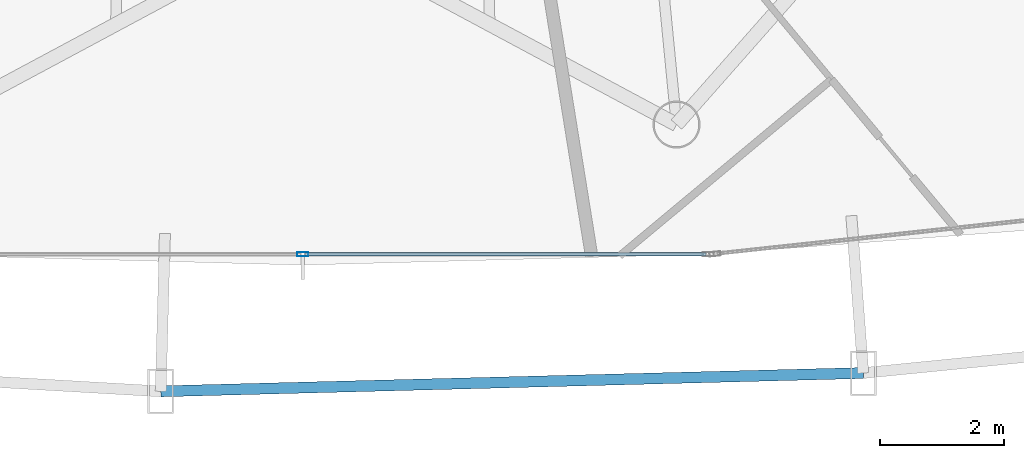
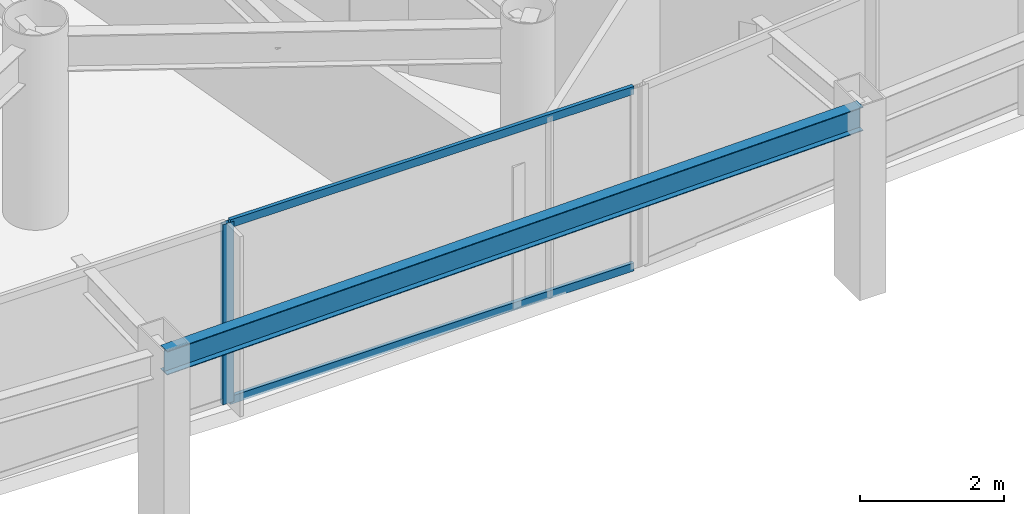
# One storey, part 7 of 38: 3 members, 1 beam, 1 element without a shape of its own.
"""IFC4 building model written with IfcOpenShell, lengths in metres."""

from ifc_helpers import new_model, si_unit, direction, frame, origin, origin_2d, place, context, subcontext, project, spatial, hollow_rectangle, i_section, extrude, material, layer, layer_set, material_profile, profile_set, type_object, element, aggregate, save


model = new_model("IFC4")

# Units and contexts
model_context = context("Model", 3, precision=1e-05, world=origin(), true_north=direction((0.0, 1.0)))
body_context = subcontext(model_context, "Body", "Model", "MODEL_VIEW")
ifc_project = project(units=[si_unit("LENGTHUNIT", "METRE"), si_unit("AREAUNIT", "SQUARE_METRE"), si_unit("VOLUMEUNIT", "CUBIC_METRE"), si_unit("PLANEANGLEUNIT", "RADIAN"), si_unit("MASSUNIT", "GRAM", prefix="KILO")], contexts=[model_context])

# Site, building, storey
site_placement = place(None, origin())
site = spatial("IfcSite", under=ifc_project, at=site_placement, CompositionType="ELEMENT")
building_placement = place(site_placement, origin())
building = spatial("IfcBuilding", under=site, at=building_placement, Name="Orvanel Arch Residences", CompositionType="ELEMENT")
storey_placement = place(building_placement, frame((0.0, 0.0, 43.39990234375)))
storey = spatial("IfcBuildingStorey", under=building, at=storey_placement, Name="L11", CompositionType="ELEMENT", Elevation=43.39990234375)

# Curtain wall, member
ifc_material_1 = material(Name="Bronze-anodised aluminium AA6063-T6", Category="aluminium")
ifc_layer = layer(ifc_material_1, 0.179931640625)
ifc_layer_set = layer_set([ifc_layer], Name="Bronze-anodised aluminium AA6063-T6")
curtain_wall_type = type_object("IfcCurtainWallType", Name="CW2-LOW-SYS", PredefinedType="NOTDEFINED", material=ifc_layer_set)
curtain_wall_placement = place(storey_placement, origin())
curtain_wall = element("IfcCurtainWall", 1, at=curtain_wall_placement, inside=storey, type_object=curtain_wall_type, Name="L11 CW2-LOW-SYS Unitised Curtain Wall", PredefinedType="NOTDEFINED")
ifc_material_profile_1 = material_profile(ifc_material_1, hollow_rectangle(XDim=0.070068359375, YDim=0.179931640625, WallThickness=0.00439453125, at=origin_2d()), Name="ALU180x70x4.5")
ifc_profile_set_1 = profile_set([ifc_material_profile_1], Name="Bronze-anodised aluminium AA6063-T6")
member_type_1 = type_object("IfcMemberType", Name="MUL-180x70", PredefinedType="MULLION", material=ifc_profile_set_1)
member_1_placement = place(storey_placement, frame((33.0, 1.508056640625, 0.0), z_axis=(0.0, 0.0, 1.0), x_axis=(0.0, 1.0, 0.0)))
member_1 = element("IfcMember", 2, at=member_1_placement, type_object=member_type_1, Name="CW-S2 mullion 2", PredefinedType="MULLION", context=body_context, shape_type="SweptSolid", body=[
    extrude(hollow_rectangle(XDim=0.070068359375, YDim=0.179931640625, WallThickness=0.00439453125, at=origin_2d()), origin(), (0.0, 0.0, 1.0), 3.06005859375),
])

# Beam
ifc_material_2 = material(Name="Structural steel AS/NZS 3679.1 Grade 300 (300 MPa)", Category="steel")
ifc_material_profile_2 = material_profile(ifc_material_2, i_section(OverallWidth=0.177978515625, OverallDepth=0.406005859375, WebThickness=0.0078125, FlangeThickness=0.0126953125, at=origin_2d()), Name="410UB59.7")
ifc_profile_set_2 = profile_set([ifc_material_profile_2], Name="Structural steel AS/NZS 3679.1 Grade 300 (300 MPa)")
beam_type = type_object("IfcBeamType", Name="OB-410UB-EXT", PredefinedType="SPANDREL", material=ifc_profile_set_2)
beam_placement = place(storey_placement, frame((30.7041015625, -0.7080078125, 2.857177734375), z_axis=(0.999660756032, 0.026045591735, 0.0), x_axis=(-0.026045591735, 0.999660756032, 0.0)))
element("IfcBeam", 3, at=beam_placement, inside=storey, type_object=beam_type, Name="L11 Outer Perimeter Floor Ring Beam 06", PredefinedType="SPANDREL", context=body_context, shape_type="SweptSolid", body=[
    extrude(i_section(OverallWidth=0.177978515625, OverallDepth=0.406005859375, WebThickness=0.0078125, FlangeThickness=0.0126953125, at=origin_2d()), origin(), (0.0, 0.0, 1.0), 11.36083984375),
])

# Member
ifc_material_profile_3 = material_profile(ifc_material_1, hollow_rectangle(XDim=0.06005859375, YDim=0.135009765625, WallThickness=0.00390625, at=origin_2d()), Name="ALU135x60x4")
ifc_profile_set_3 = profile_set([ifc_material_profile_3], Name="Bronze-anodised aluminium AA6063-T6")
member_type_2 = type_object("IfcMemberType", Name="TRN-135x60", PredefinedType="USERDEFINED", material=ifc_profile_set_3)
member_2_placement = place(storey_placement, frame((33.034912109375, 1.508056640625, 0.030029296875), z_axis=(1.0, 0.0, 0.0), x_axis=(0.0, 1.0, 0.0)))
member_2 = element("IfcMember", 4, at=member_2_placement, type_object=member_type_2, Name="CW-S2 transom 2.1", ObjectType="TRANSOM", PredefinedType="USERDEFINED", context=body_context, shape_type="SweptSolid", body=[
    extrude(hollow_rectangle(XDim=0.06005859375, YDim=0.135009765625, WallThickness=0.00390625, at=origin_2d()), origin(), (0.0, 0.0, 1.0), 6.486083984375),
])

member_3_placement = place(storey_placement, frame((33.034912109375, 1.508056640625, 3.030029296875), z_axis=(1.0, 0.0, 0.0), x_axis=(0.0, 1.0, 0.0)))
member_3 = element("IfcMember", 5, at=member_3_placement, type_object=member_type_2, Name="CW-S2 transom 2.2", ObjectType="TRANSOM", PredefinedType="USERDEFINED", context=body_context, shape_type="SweptSolid", body=[
    extrude(hollow_rectangle(XDim=0.06005859375, YDim=0.135009765625, WallThickness=0.00390625, at=origin_2d()), origin(), (0.0, 0.0, 1.0), 6.486083984375),
])

aggregate(curtain_wall, [member_1, member_2, member_3])

save(model, "model.ifc")
